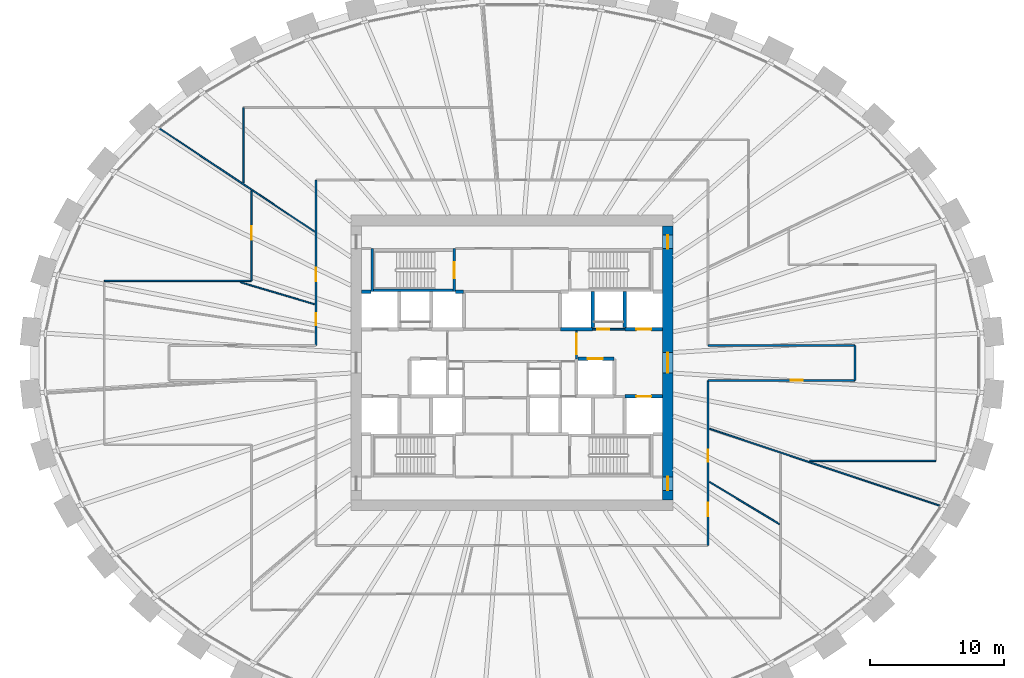
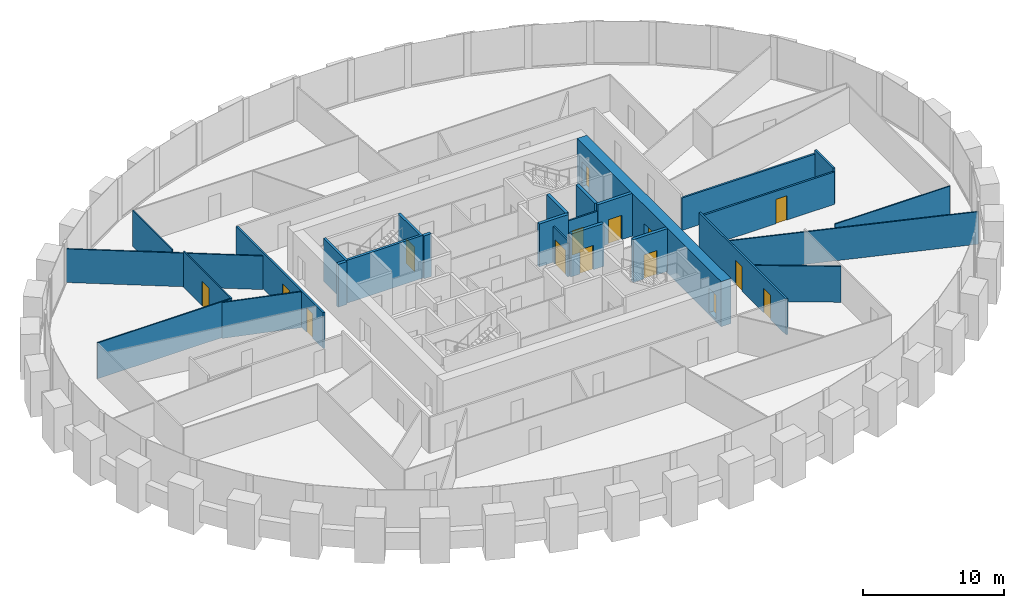
# One storey, part 8 of 11: 27 walls, 15 doors, 15 openings.
"""IFC4 building model written with IfcOpenShell, lengths in metres."""

from ifc_helpers import new_model, si_unit, direction, frame, frame_2d, origin, place, context, subcontext, project, spatial, rectangle, extrude, source, transform, mapped, material, layer, layer_set, type_object, element, fill, save


model = new_model("IFC4")

# Units and contexts
model_context = context("Model", 3, precision=1e-05, world=origin(), true_north=direction((0.0, 1.0)))
body_context = subcontext(model_context, "Body", "Model", "MODEL_VIEW")
ifc_project = project(units=[si_unit("LENGTHUNIT", "METRE"), si_unit("AREAUNIT", "SQUARE_METRE"), si_unit("VOLUMEUNIT", "CUBIC_METRE"), si_unit("PLANEANGLEUNIT", "RADIAN"), si_unit("MASSUNIT", "GRAM", prefix="KILO")], contexts=[model_context])

# Site, building, storey
site_placement = place(None, origin())
site = spatial("IfcSite", under=ifc_project, at=site_placement, CompositionType="ELEMENT")
building_placement = place(site_placement, origin())
building = spatial("IfcBuilding", under=site, at=building_placement, Name="Embergate Tower", CompositionType="ELEMENT")
storey_placement = place(building_placement, frame((0.0, 0.0, 199.5)))
storey = spatial("IfcBuildingStorey", under=building, at=storey_placement, Name="L45", CompositionType="ELEMENT", Elevation=199.5)

# Wall, openings, doors
ifc_material_1 = material(Name="Concrete C70", Category="concrete")
ifc_layer_1 = layer(ifc_material_1, 0.800048828125)
ifc_layer_set_1 = layer_set([ifc_layer_1], Name="Concrete C70")
wall_type_1 = type_object("IfcWallType", Name="Core outer wall C70 800", PredefinedType="SHEAR", material=ifc_layer_set_1)
shared_shape_1 = source(origin(), body_context, "Body", "SweptSolid", [
    extrude(rectangle(XDim=20.39990234375, YDim=0.800048828125, at=frame_2d((10.199951171875, 0.0))), origin(), (0.0, 0.0, 1.0), 3.89990234375),
])
wall_1_placement = place(storey_placement, frame((11.60009765625, -10.199951171875, -0.199951171875), z_axis=(0.0, 0.0, 1.0), x_axis=(0.0, 1.0, 0.0)))
wall_1 = element("IfcWall", 1, at=wall_1_placement, inside=storey, type_object=wall_type_1, Name="CW-L45-E", PredefinedType="SHEAR", context=body_context, shape_type="MappedRepresentation", body=[
    mapped(shared_shape_1, transform((0.0, 0.0, 0.0))),
])
shared_shape_2 = source(origin(), body_context, "Body", "SweptSolid", [
    extrude(rectangle(XDim=1.0, YDim=2.10009765625, at=frame_2d((0.5, 1.050048828125))), frame((0.0, 0.409912109375, 0.0), z_axis=(0.0, -1.0, 0.0), x_axis=(1.0, 0.0, 0.0)), (0.0, 0.0, 1.0), 0.820068359375),
])
opening_1_placement = place(wall_1_placement, frame((18.699951171875, 0.0, 0.199951171875)))
opening_1 = element("IfcOpeningElement", 2, at=opening_1_placement, cuts=wall_1, Name="Opening IF-1d", PredefinedType="OPENING", context=body_context, shape_type="MappedRepresentation", body=[
    mapped(shared_shape_2, transform((0.0, 0.0, 0.0))),
])
opening_2_placement = place(wall_1_placement, frame((0.699951171875, 0.0, 0.199951171875)))
opening_2 = element("IfcOpeningElement", 3, at=opening_2_placement, cuts=wall_1, Name="Opening IF-1d", PredefinedType="OPENING", context=body_context, shape_type="MappedRepresentation", body=[
    mapped(shared_shape_2, transform((0.0, 0.0, 0.0))),
])
shared_shape_3 = source(origin(), body_context, "Body", "SweptSolid", [
    extrude(rectangle(XDim=1.5, YDim=2.10009765625, at=frame_2d((0.75, 1.050048828125))), frame((0.0, 0.409912109375, 0.0), z_axis=(0.0, -1.0, 0.0), x_axis=(1.0, 0.0, 0.0)), (0.0, 0.0, 1.0), 0.820068359375),
])
opening_3_placement = place(wall_1_placement, frame((9.449951171875, 0.0, 0.199951171875)))
opening_3 = element("IfcOpeningElement", 4, at=opening_3_placement, cuts=wall_1, Name="Opening IF-3", PredefinedType="OPENING", context=body_context, shape_type="MappedRepresentation", body=[
    mapped(shared_shape_3, transform((0.0, 0.0, 0.0))),
])
ifc_material_2 = material(Name="Lobby fire door pair 1500")
door_type_1 = type_object("IfcDoorType", Name="Lobby fire door pair 1500", OperationType="DOUBLE_DOOR_SINGLE_SWING", PredefinedType="DOOR", material=ifc_material_2)
shared_shape_4 = source(origin(), body_context, "Body", "SweptSolid", [
    extrude(rectangle(XDim=1.5, YDim=2.10009765625, at=frame_2d((0.75, 1.050048828125))), frame((0.0, 0.02490234375, 0.0), z_axis=(0.0, -1.0, 0.0), x_axis=(1.0, 0.0, 0.0)), (0.0, 0.0, 1.0), 0.050048828125),
])
door_1_placement = place(opening_3_placement, origin())
door_1 = element("IfcDoor", 5, at=door_1_placement, inside=storey, type_object=door_type_1, Name="IF-3 door", OperationType="DOUBLE_DOOR_SINGLE_SWING", OverallHeight=2.10009765625, OverallWidth=1.5, PredefinedType="DOOR", context=body_context, shape_type="MappedRepresentation", body=[
    mapped(shared_shape_4, transform((0.0, 0.0, 0.0))),
])
fill(opening_3, door_1)
ifc_material_3 = material(Name="Escape fire door 1000")
door_type_2 = type_object("IfcDoorType", Name="Escape fire door 1000", OperationType="SINGLE_SWING_LEFT", PredefinedType="DOOR", material=ifc_material_3)
shared_shape_5 = source(origin(), body_context, "Body", "SweptSolid", [
    extrude(rectangle(XDim=1.0, YDim=2.10009765625, at=frame_2d((0.5, 1.050048828125))), frame((0.0, 0.02490234375, 0.0), z_axis=(0.0, -1.0, 0.0), x_axis=(1.0, 0.0, 0.0)), (0.0, 0.0, 1.0), 0.050048828125),
])
door_2_placement = place(opening_1_placement, origin())
door_2 = element("IfcDoor", 6, at=door_2_placement, inside=storey, type_object=door_type_2, Name="IF-1 door", OperationType="SINGLE_SWING_LEFT", OverallHeight=2.10009765625, OverallWidth=1.0, PredefinedType="DOOR", context=body_context, shape_type="MappedRepresentation", body=[
    mapped(shared_shape_5, transform((0.0, 0.0, 0.0))),
])
fill(opening_1, door_2)
door_3_placement = place(opening_2_placement, origin())
door_3 = element("IfcDoor", 7, at=door_3_placement, inside=storey, type_object=door_type_2, Name="IF-1 door", OperationType="SINGLE_SWING_RIGHT", OverallHeight=2.10009765625, OverallWidth=1.0, PredefinedType="DOOR", context=body_context, shape_type="MappedRepresentation", body=[
    mapped(shared_shape_5, transform((0.0, 0.0, 0.0))),
])
fill(opening_2, door_3)

# Walls
ifc_material_4 = material(Name="Concrete C50", Category="concrete")
ifc_layer_2 = layer(ifc_material_4, 0.25)
ifc_layer_set_2 = layer_set([ifc_layer_2], Name="Concrete C50")
wall_type_2 = type_object("IfcWallType", Name="Hoistway wall reinforced concrete 250", PredefinedType="SHEAR", material=ifc_layer_set_2)
shared_shape_6 = source(origin(), body_context, "Body", "SweptSolid", [
    extrude(rectangle(XDim=2.675048828125, YDim=0.25, at=frame_2d((1.33740234375, 0.0))), origin(), (0.0, 0.0, 1.0), 3.699951171875),
])
for number, where, z_axis, x_axis, name in (
    (8, (6.0, 2.625, 0.0), (0.0, 0.0, 1.0), (0.0, 1.0, 0.0), "HW-1 wall"),
    (9, (8.39990234375, 2.625, 0.0), (0.0, 0.0, 1.0), (0.0, 1.0, 0.0), "HW-1 wall"),
):
    element("IfcWall", number, at=place(storey_placement, frame(where, z_axis=z_axis, x_axis=x_axis)), inside=storey, type_object=wall_type_2, Name=name, PredefinedType="SHEAR", context=body_context, shape_type="MappedRepresentation", body=[
        mapped(shared_shape_6, transform((0.0, 0.0, 0.0))),
    ])

# Wall, opening, door
wall_2_placement = place(storey_placement, frame((7.60009765625, 0.300048828125, 0.0), z_axis=(0.0, 0.0, 1.0), x_axis=(-1.0, 0.0, 0.0)))
wall_2 = element("IfcWall", 10, at=wall_2_placement, inside=storey, type_object=wall_type_2, Name="HW-1 wall", PredefinedType="SHEAR", context=body_context, shape_type="MappedRepresentation", body=[
    mapped(shared_shape_6, transform((0.0, 0.0, 0.0))),
])
shared_shape_7 = source(origin(), body_context, "Body", "SweptSolid", [
    extrude(rectangle(XDim=1.10009765625, YDim=2.10009765625, at=frame_2d((0.550048828125, 1.050048828125))), frame((0.0, 0.135009765625, 0.0), z_axis=(0.0, -1.0, 0.0), x_axis=(1.0, 0.0, 0.0)), (0.0, 0.0, 1.0), 0.27001953125),
])
opening_4_placement = place(wall_2_placement, frame((0.85009765625, 0.0, 0.0)))
opening_4 = element("IfcOpeningElement", 11, at=opening_4_placement, cuts=wall_2, Name="Opening LD", PredefinedType="OPENING", context=body_context, shape_type="MappedRepresentation", body=[
    mapped(shared_shape_7, transform((0.0, 0.0, 0.0))),
])
ifc_material_5 = material(Name="Landing door sliding 1100")
door_type_3 = type_object("IfcDoorType", Name="Landing door sliding 1100", OperationType="SLIDING_TO_LEFT", PredefinedType="DOOR", material=ifc_material_5)
shared_shape_8 = source(origin(), body_context, "Body", "SweptSolid", [
    extrude(rectangle(XDim=1.10009765625, YDim=2.10009765625, at=frame_2d((0.550048828125, 1.050048828125))), frame((0.0, 0.02490234375, 0.0), z_axis=(0.0, -1.0, 0.0), x_axis=(1.0, 0.0, 0.0)), (0.0, 0.0, 1.0), 0.050048828125),
])
door_4_placement = place(opening_4_placement, origin())
door_4 = element("IfcDoor", 12, at=door_4_placement, inside=storey, type_object=door_type_3, Name="LD door", OperationType="SLIDING_TO_RIGHT", OverallHeight=2.10009765625, OverallWidth=1.10009765625, PredefinedType="DOOR", context=body_context, shape_type="MappedRepresentation", body=[
    mapped(shared_shape_8, transform((0.0, 0.0, 0.0))),
])
fill(opening_4, door_4)

# Wall
ifc_layer_3 = layer(ifc_material_4, 0.199951171875)
ifc_layer_set_3 = layer_set([ifc_layer_3], Name="Concrete C50")
wall_type_3 = type_object("IfcWallType", Name="Stair enclosure wall reinforced concrete 250", PredefinedType="SHEAR", material=ifc_layer_set_3)
shared_shape_9 = source(origin(), body_context, "Body", "SweptSolid", [
    extrude(rectangle(XDim=6.300048828125, YDim=0.199951171875, at=frame_2d((3.14990234375, 0.0))), origin(), (0.0, 0.0, 1.0), 3.699951171875),
])
wall_3_placement = place(storey_placement, frame((-4.199951171875, 5.39990234375, 0.0), z_axis=(0.0, 0.0, 1.0), x_axis=(-1.0, 0.0, 0.0)))
element("IfcWall", 13, at=wall_3_placement, inside=storey, type_object=wall_type_3, Name="SE-1 wall", PredefinedType="SHEAR", context=body_context, shape_type="MappedRepresentation", body=[
    mapped(shared_shape_9, transform((0.0, 0.0, 0.0))),
])

# Wall, opening, door
ifc_material_6 = material(Name="Core partition blockwork 120")
ifc_layer_4 = layer(ifc_material_6, 0.1201171875)
ifc_layer_set_4 = layer_set([ifc_layer_4], Name="Core partition blockwork 120")
wall_type_4 = type_object("IfcWallType", Name="Core partition blockwork 120", PredefinedType="PARTITIONING", material=ifc_layer_set_4)
shared_shape_10 = source(origin(), body_context, "Body", "SweptSolid", [
    extrude(rectangle(XDim=2.074951171875, YDim=0.1201171875, at=frame_2d((1.03759765625, 0.0))), origin(), (0.0, 0.0, 1.0), 3.10009765625),
])
wall_4_placement = place(storey_placement, frame((4.800048828125, 0.300048828125, 0.0), z_axis=(0.0, 0.0, 1.0), x_axis=(0.0, 1.0, 0.0)))
wall_4 = element("IfcWall", 14, at=wall_4_placement, inside=storey, type_object=wall_type_4, Name="IP-3 wall", PredefinedType="PARTITIONING", context=body_context, shape_type="MappedRepresentation", body=[
    mapped(shared_shape_10, transform((0.0, 0.0, 0.0))),
])
shared_shape_11 = source(origin(), body_context, "Body", "SweptSolid", [
    extrude(rectangle(XDim=1.5, YDim=2.10009765625, at=frame_2d((0.75, 1.050048828125))), frame((0.0, 0.070068359375, 0.0), z_axis=(0.0, -1.0, 0.0), x_axis=(1.0, 0.0, 0.0)), (0.0, 0.0, 1.0), 0.14013671875),
])
opening_5_placement = place(wall_4_placement, frame((0.35009765625, 0.0, 0.0)))
opening_5 = element("IfcOpeningElement", 15, at=opening_5_placement, cuts=wall_4, Name="Opening IF-3", PredefinedType="OPENING", context=body_context, shape_type="MappedRepresentation", body=[
    mapped(shared_shape_11, transform((0.0, 0.0, 0.0))),
])
door_5_placement = place(opening_5_placement, origin())
door_5 = element("IfcDoor", 16, at=door_5_placement, inside=storey, type_object=door_type_1, Name="IF-3 door", OperationType="DOUBLE_DOOR_SINGLE_SWING", OverallHeight=2.10009765625, OverallWidth=1.5, PredefinedType="DOOR", context=body_context, shape_type="MappedRepresentation", body=[
    mapped(shared_shape_4, transform((0.0, 0.0, 0.0))),
])
fill(opening_5, door_5)

shared_shape_12 = source(origin(), body_context, "Body", "SweptSolid", [
    extrude(rectangle(XDim=3.199951171875, YDim=0.199951171875, at=frame_2d((1.60009765625, 0.0))), origin(), (0.0, 0.0, 1.0), 3.699951171875),
])
wall_5_placement = place(storey_placement, frame((-4.300048828125, 5.300048828125, 0.0), z_axis=(0.0, 0.0, 1.0), x_axis=(0.0, 1.0, 0.0)))
wall_5 = element("IfcWall", 17, at=wall_5_placement, inside=storey, type_object=wall_type_3, Name="SE-1 wall", PredefinedType="SHEAR", context=body_context, shape_type="MappedRepresentation", body=[
    mapped(shared_shape_12, transform((0.0, 0.0, 0.0))),
])
shared_shape_13 = source(origin(), body_context, "Body", "SweptSolid", [
    extrude(rectangle(XDim=1.199951171875, YDim=2.10009765625, at=frame_2d((0.60009765625, 1.050048828125))), frame((0.0, 0.10986328125, 0.0), z_axis=(0.0, -1.0, 0.0), x_axis=(1.0, 0.0, 0.0)), (0.0, 0.0, 1.0), 0.219970703125),
])
opening_6_placement = place(wall_5_placement, frame((1.0, 0.0, 0.0)))
opening_6 = element("IfcOpeningElement", 18, at=opening_6_placement, cuts=wall_5, Name="Opening IF-2", PredefinedType="OPENING", context=body_context, shape_type="MappedRepresentation", body=[
    mapped(shared_shape_13, transform((0.0, 0.0, 0.0))),
])
ifc_material_7 = material(Name="Stair enclosure door 1200")
door_type_4 = type_object("IfcDoorType", Name="Stair enclosure door 1200", OperationType="SINGLE_SWING_LEFT", PredefinedType="DOOR", material=ifc_material_7)
shared_shape_14 = source(origin(), body_context, "Body", "SweptSolid", [
    extrude(rectangle(XDim=1.199951171875, YDim=2.10009765625, at=frame_2d((0.60009765625, 1.050048828125))), frame((0.0, 0.02490234375, 0.0), z_axis=(0.0, -1.0, 0.0), x_axis=(1.0, 0.0, 0.0)), (0.0, 0.0, 1.0), 0.050048828125),
])
door_6_placement = place(opening_6_placement, origin())
door_6 = element("IfcDoor", 19, at=door_6_placement, inside=storey, type_object=door_type_4, Name="IF-2 door", OperationType="SINGLE_SWING_LEFT", OverallHeight=2.10009765625, OverallWidth=1.199951171875, PredefinedType="DOOR", context=body_context, shape_type="MappedRepresentation", body=[
    mapped(shared_shape_14, transform((0.0, 0.0, 0.0))),
])
fill(opening_6, door_6)

# Walls
shared_shape_15 = source(origin(), body_context, "Body", "SweptSolid", [
    extrude(rectangle(XDim=2.39990234375, YDim=0.25, at=frame_2d((1.199951171875, 0.0))), origin(), (0.0, 0.0, 1.0), 3.699951171875),
])
wall_6_placement = place(storey_placement, frame((3.60009765625, 2.5, 0.0), z_axis=(0.0, 0.0, 1.0), x_axis=(1.0, 0.0, 0.0)))
element("IfcWall", 20, at=wall_6_placement, inside=storey, type_object=wall_type_2, Name="HW-1 wall", PredefinedType="SHEAR", context=body_context, shape_type="MappedRepresentation", body=[
    mapped(shared_shape_15, transform((0.0, 0.0, 0.0))),
])
ifc_material_8 = material(Name="Corridor wall dry-lined 150")
ifc_layer_5 = layer(ifc_material_8, 0.14990234375)
ifc_layer_set_5 = layer_set([ifc_layer_5], Name="Corridor wall dry-lined 150")
wall_type_5 = type_object("IfcWallType", Name="Corridor wall dry-lined 150", PredefinedType="PARTITIONING", material=ifc_layer_set_5)
shared_shape_16 = source(origin(), body_context, "Body", "SweptSolid", [
    extrude(rectangle(XDim=10.949951171875, YDim=0.14990234375, at=frame_2d((5.47509765625, 0.0))), origin(), (0.0, 0.0, 1.0), 2.800048828125),
])
wall_7_placement = place(storey_placement, frame((14.60009765625, 1.300048828125, 0.0), z_axis=(0.0, 0.0, 1.0), x_axis=(1.0, 0.0, 0.0)))
element("IfcWall", 21, at=wall_7_placement, inside=storey, type_object=wall_type_5, Name="IP-2 wall", PredefinedType="PARTITIONING", context=body_context, shape_type="MappedRepresentation", body=[
    mapped(shared_shape_16, transform((0.0, 0.0, 0.0))),
])

# Wall, opening, door
wall_8_placement = place(storey_placement, frame((25.550048828125, -1.300048828125, 0.0), z_axis=(0.0, 0.0, 1.0), x_axis=(-1.0, 0.0, 0.0)))
wall_8 = element("IfcWall", 22, at=wall_8_placement, inside=storey, type_object=wall_type_5, Name="IP-2 wall", PredefinedType="PARTITIONING", context=body_context, shape_type="MappedRepresentation", body=[
    mapped(shared_shape_16, transform((0.0, 0.0, 0.0))),
])
shared_shape_17 = source(origin(), body_context, "Body", "SweptSolid", [
    extrude(rectangle(XDim=0.89990234375, YDim=2.10009765625, at=frame_2d((0.449951171875, 1.050048828125))), frame((0.0, 0.0849609375, 0.0), z_axis=(0.0, -1.0, 0.0), x_axis=(1.0, 0.0, 0.0)), (0.0, 0.0, 1.0), 0.169921875),
])
opening_7_placement = place(wall_8_placement, frame((3.89111328125, 0.0, 0.0)))
opening_7 = element("IfcOpeningElement", 23, at=opening_7_placement, cuts=wall_8, Name="Opening IF-1c", PredefinedType="OPENING", context=body_context, shape_type="MappedRepresentation", body=[
    mapped(shared_shape_17, transform((0.0, 0.0, 0.0))),
])
ifc_material_9 = material(Name="Escape fire door 900")
door_type_5 = type_object("IfcDoorType", Name="Escape fire door 900", OperationType="SINGLE_SWING_LEFT", PredefinedType="DOOR", material=ifc_material_9)
shared_shape_18 = source(origin(), body_context, "Body", "SweptSolid", [
    extrude(rectangle(XDim=0.89990234375, YDim=2.10009765625, at=frame_2d((0.449951171875, 1.050048828125))), frame((0.0, 0.02490234375, 0.0), z_axis=(0.0, -1.0, 0.0), x_axis=(1.0, 0.0, 0.0)), (0.0, 0.0, 1.0), 0.050048828125),
])
door_7_placement = place(opening_7_placement, origin())
door_7 = element("IfcDoor", 24, at=door_7_placement, inside=storey, type_object=door_type_5, Name="IF-1 door", OperationType="SINGLE_SWING_RIGHT", OverallHeight=2.10009765625, OverallWidth=0.89990234375, PredefinedType="DOOR", context=body_context, shape_type="MappedRepresentation", body=[
    mapped(shared_shape_18, transform((0.0, 0.0, 0.0))),
])
fill(opening_7, door_7)

shared_shape_19 = source(origin(), body_context, "Body", "SweptSolid", [
    extrude(rectangle(XDim=2.800048828125, YDim=0.25, at=frame_2d((1.39990234375, 0.0))), origin(), (0.0, 0.0, 1.0), 3.699951171875),
])
wall_9_placement = place(storey_placement, frame((8.39990234375, 2.5, 0.0), z_axis=(0.0, 0.0, 1.0), x_axis=(1.0, 0.0, 0.0)))
wall_9 = element("IfcWall", 25, at=wall_9_placement, inside=storey, type_object=wall_type_2, Name="HW-1 wall", PredefinedType="SHEAR", context=body_context, shape_type="MappedRepresentation", body=[
    mapped(shared_shape_19, transform((0.0, 0.0, 0.0))),
])
opening_8_placement = place(wall_9_placement, frame((0.85009765625, 0.0, 0.0)))
opening_8 = element("IfcOpeningElement", 26, at=opening_8_placement, cuts=wall_9, Name="Opening LD", PredefinedType="OPENING", context=body_context, shape_type="MappedRepresentation", body=[
    mapped(shared_shape_7, transform((0.0, 0.0, 0.0))),
])
door_8_placement = place(opening_8_placement, origin())
door_8 = element("IfcDoor", 27, at=door_8_placement, inside=storey, type_object=door_type_3, Name="LD door", OperationType="SLIDING_TO_LEFT", OverallHeight=2.10009765625, OverallWidth=1.10009765625, PredefinedType="DOOR", context=body_context, shape_type="MappedRepresentation", body=[
    mapped(shared_shape_8, transform((0.0, 0.0, 0.0))),
])
fill(opening_8, door_8)

wall_10_placement = place(storey_placement, frame((11.199951171875, -2.5, 0.0), z_axis=(0.0, 0.0, 1.0), x_axis=(-1.0, 0.0, 0.0)))
wall_10 = element("IfcWall", 28, at=wall_10_placement, inside=storey, type_object=wall_type_2, Name="HW-1 wall", PredefinedType="SHEAR", context=body_context, shape_type="MappedRepresentation", body=[
    mapped(shared_shape_19, transform((0.0, 0.0, 0.0))),
])
opening_9_placement = place(wall_10_placement, frame((0.85009765625, 0.0, 0.0)))
opening_9 = element("IfcOpeningElement", 29, at=opening_9_placement, cuts=wall_10, Name="Opening LD", PredefinedType="OPENING", context=body_context, shape_type="MappedRepresentation", body=[
    mapped(shared_shape_7, transform((0.0, 0.0, 0.0))),
])
door_9_placement = place(opening_9_placement, origin())
door_9 = element("IfcDoor", 30, at=door_9_placement, inside=storey, type_object=door_type_3, Name="LD door", OperationType="SLIDING_TO_RIGHT", OverallHeight=2.10009765625, OverallWidth=1.10009765625, PredefinedType="DOOR", context=body_context, shape_type="MappedRepresentation", body=[
    mapped(shared_shape_8, transform((0.0, 0.0, 0.0))),
])
fill(opening_9, door_9)

shared_shape_20 = source(origin(), body_context, "Body", "SweptSolid", [
    extrude(rectangle(XDim=2.39990234375, YDim=0.1201171875, at=frame_2d((1.199951171875, 0.0))), origin(), (0.0, 0.0, 1.0), 3.10009765625),
])
wall_11_placement = place(storey_placement, frame((6.0, 2.5, 0.0), z_axis=(0.0, 0.0, 1.0), x_axis=(1.0, 0.0, 0.0)))
wall_11 = element("IfcWall", 31, at=wall_11_placement, inside=storey, type_object=wall_type_4, Name="IP-3 wall", PredefinedType="PARTITIONING", context=body_context, shape_type="MappedRepresentation", body=[
    mapped(shared_shape_20, transform((0.0, 0.0, 0.0))),
])
shared_shape_21 = source(origin(), body_context, "Body", "SweptSolid", [
    extrude(rectangle(XDim=0.89990234375, YDim=2.10009765625, at=frame_2d((0.449951171875, 1.050048828125))), frame((0.0, 0.070068359375, 0.0), z_axis=(0.0, -1.0, 0.0), x_axis=(1.0, 0.0, 0.0)), (0.0, 0.0, 1.0), 0.14013671875),
])
opening_10_placement = place(wall_11_placement, frame((0.35009765625, 0.0, 0.0)))
opening_10 = element("IfcOpeningElement", 32, at=opening_10_placement, cuts=wall_11, Name="Opening ID-1", PredefinedType="OPENING", context=body_context, shape_type="MappedRepresentation", body=[
    mapped(shared_shape_21, transform((0.0, 0.0, 0.0))),
])
ifc_material_10 = material(Name="Interior door 900")
door_type_6 = type_object("IfcDoorType", Name="Interior door 900", OperationType="SINGLE_SWING_LEFT", PredefinedType="DOOR", material=ifc_material_10)
door_10_placement = place(opening_10_placement, origin())
door_10 = element("IfcDoor", 33, at=door_10_placement, inside=storey, type_object=door_type_6, Name="ID-1 door", OperationType="SINGLE_SWING_RIGHT", OverallHeight=2.10009765625, OverallWidth=0.89990234375, PredefinedType="DOOR", context=body_context, shape_type="MappedRepresentation", body=[
    mapped(shared_shape_18, transform((0.0, 0.0, 0.0))),
])
fill(opening_10, door_10)

# Walls
shared_shape_22 = source(origin(), body_context, "Body", "SweptSolid", [
    extrude(rectangle(XDim=0.599853515625, YDim=0.25, at=frame_2d((0.2998046875, 0.0))), origin(), (0.0, 0.0, 1.0), 3.699951171875),
])
wall_12_placement = place(storey_placement, frame((-3.60009765625, 5.300048828125, 0.0), z_axis=(0.0, 0.0, 1.0), x_axis=(-1.0, 0.0, 0.0)))
element("IfcWall", 34, at=wall_12_placement, inside=storey, type_object=wall_type_2, Name="HW-1 wall", PredefinedType="SHEAR", context=body_context, shape_type="MappedRepresentation", body=[
    mapped(shared_shape_22, transform((0.0, 0.0, 0.0))),
])
shared_shape_23 = source(origin(), body_context, "Body", "SweptSolid", [
    extrude(rectangle(XDim=3.196044921875, YDim=0.199951171875, at=frame_2d((1.59814453125, 0.0))), origin(), (0.0, 0.0, 1.0), 3.699951171875),
])
wall_13_placement = place(storey_placement, frame((-10.39990234375, 8.498046875, 0.0), z_axis=(0.0, 0.0, 1.0), x_axis=(0.0, -1.0, 0.0)))
element("IfcWall", 35, at=wall_13_placement, inside=storey, type_object=wall_type_3, Name="SE-1 wall", PredefinedType="SHEAR", context=body_context, shape_type="MappedRepresentation", body=[
    mapped(shared_shape_23, transform((0.0, 0.0, 0.0))),
])
shared_shape_24 = source(origin(), body_context, "Body", "SweptSolid", [
    extrude(rectangle(XDim=0.697998046875, YDim=0.25, at=frame_2d((0.34912109375, 0.0))), origin(), (0.0, 0.0, 1.0), 3.699951171875),
])
wall_14_placement = place(storey_placement, frame((-10.501953125, 5.300048828125, 0.0), z_axis=(0.0, 0.0, 1.0), x_axis=(-1.0, 0.0, 0.0)))
element("IfcWall", 36, at=wall_14_placement, inside=storey, type_object=wall_type_2, Name="HW-1 wall", PredefinedType="SHEAR", context=body_context, shape_type="MappedRepresentation", body=[
    mapped(shared_shape_24, transform((0.0, 0.0, 0.0))),
])
ifc_material_11 = material(Name="Partition dry-lined 100")
ifc_layer_6 = layer(ifc_material_11, 0.10009765625)
ifc_layer_set_6 = layer_set([ifc_layer_6], Name="Partition dry-lined 100")
wall_type_6 = type_object("IfcWallType", Name="Partition dry-lined 100", PredefinedType="PARTITIONING", material=ifc_layer_set_6)
shared_shape_25 = source(origin(), body_context, "Body", "SweptSolid", [
    extrude(rectangle(XDim=10.9501953125, YDim=0.10009765625, at=frame_2d((5.47509765625, 0.0))), origin(), (0.0, 0.0, 1.0), 3.10009765625),
])
wall_15_placement = place(storey_placement, frame((-30.35009765625, 6.10009765625, 0.0), z_axis=(0.0, 0.0, 1.0), x_axis=(1.0, 0.0, 0.0)))
element("IfcWall", 37, at=wall_15_placement, inside=storey, type_object=wall_type_6, Name="IP-1 wall", PredefinedType="PARTITIONING", context=body_context, shape_type="MappedRepresentation", body=[
    mapped(shared_shape_25, transform((0.0, 0.0, 0.0))),
])

# Wall, openings, doors
shared_shape_26 = source(origin(), body_context, "Body", "SweptSolid", [
    extrude(rectangle(XDim=12.300048828125, YDim=0.14990234375, at=frame_2d((6.14990234375, 0.0))), origin(), (0.0, 0.0, 1.0), 3.10009765625),
])
wall_16_placement = place(storey_placement, frame((14.60009765625, -1.300048828125, 0.0), z_axis=(0.0, 0.0, 1.0), x_axis=(0.0, -1.0, 0.0)))
wall_16 = element("IfcWall", 38, at=wall_16_placement, inside=storey, type_object=wall_type_5, Name="IP-2 wall", PredefinedType="PARTITIONING", context=body_context, shape_type="MappedRepresentation", body=[
    mapped(shared_shape_26, transform((0.0, 0.0, 0.0))),
])
shared_shape_27 = source(origin(), body_context, "Body", "SweptSolid", [
    extrude(rectangle(XDim=1.0, YDim=2.10009765625, at=frame_2d((0.5, 1.050048828125))), frame((0.0, 0.0849609375, 0.0), z_axis=(0.0, -1.0, 0.0), x_axis=(1.0, 0.0, 0.0)), (0.0, 0.0, 1.0), 0.169921875),
])
opening_11_placement = place(wall_16_placement, frame((9.116943359375, 0.0, 0.0)))
opening_11 = element("IfcOpeningElement", 39, at=opening_11_placement, cuts=wall_16, Name="Opening ID-2", PredefinedType="OPENING", context=body_context, shape_type="MappedRepresentation", body=[
    mapped(shared_shape_27, transform((0.0, 0.0, 0.0))),
])
opening_12_placement = place(wall_16_placement, frame((5.1650390625, 0.0, 0.0)))
opening_12 = element("IfcOpeningElement", 40, at=opening_12_placement, cuts=wall_16, Name="Opening IF-1c", PredefinedType="OPENING", context=body_context, shape_type="MappedRepresentation", body=[
    mapped(shared_shape_17, transform((0.0, 0.0, 0.0))),
])
door_11_placement = place(opening_12_placement, origin())
door_11 = element("IfcDoor", 41, at=door_11_placement, inside=storey, type_object=door_type_5, Name="IF-1 door", OperationType="SINGLE_SWING_RIGHT", OverallHeight=2.10009765625, OverallWidth=0.89990234375, PredefinedType="DOOR", context=body_context, shape_type="MappedRepresentation", body=[
    mapped(shared_shape_18, transform((0.0, 0.0, 0.0))),
])
fill(opening_12, door_11)
ifc_material_12 = material(Name="Interior door 1000")
door_type_7 = type_object("IfcDoorType", Name="Interior door 1000", OperationType="SINGLE_SWING_LEFT", PredefinedType="DOOR", material=ifc_material_12)
door_12_placement = place(opening_11_placement, origin())
door_12 = element("IfcDoor", 42, at=door_12_placement, inside=storey, type_object=door_type_7, Name="ID-2 door", OperationType="SINGLE_SWING_RIGHT", OverallHeight=2.10009765625, OverallWidth=1.0, PredefinedType="DOOR", context=body_context, shape_type="MappedRepresentation", body=[
    mapped(shared_shape_5, transform((0.0, 0.0, 0.0))),
])
fill(opening_11, door_12)

wall_17_placement = place(storey_placement, frame((-14.60009765625, 1.300048828125, 0.0), z_axis=(0.0, 0.0, 1.0), x_axis=(0.0, 1.0, 0.0)))
wall_17 = element("IfcWall", 43, at=wall_17_placement, inside=storey, type_object=wall_type_5, Name="IP-2 wall", PredefinedType="PARTITIONING", context=body_context, shape_type="MappedRepresentation", body=[
    mapped(shared_shape_26, transform((0.0, 0.0, 0.0))),
])
opening_13_placement = place(wall_17_placement, frame((4.76611328125, 0.0, 0.0)))
opening_13 = element("IfcOpeningElement", 44, at=opening_13_placement, cuts=wall_17, Name="Opening ID-2", PredefinedType="OPENING", context=body_context, shape_type="MappedRepresentation", body=[
    mapped(shared_shape_27, transform((0.0, 0.0, 0.0))),
])
opening_14_placement = place(wall_17_placement, frame((1.47998046875, 0.0, 0.0)))
opening_14 = element("IfcOpeningElement", 45, at=opening_14_placement, cuts=wall_17, Name="Opening IF-1c", PredefinedType="OPENING", context=body_context, shape_type="MappedRepresentation", body=[
    mapped(shared_shape_17, transform((0.0, 0.0, 0.0))),
])
door_13_placement = place(opening_14_placement, origin())
door_13 = element("IfcDoor", 46, at=door_13_placement, inside=storey, type_object=door_type_5, Name="IF-1 door", OperationType="SINGLE_SWING_RIGHT", OverallHeight=2.10009765625, OverallWidth=0.89990234375, PredefinedType="DOOR", context=body_context, shape_type="MappedRepresentation", body=[
    mapped(shared_shape_18, transform((0.0, 0.0, 0.0))),
])
fill(opening_14, door_13)
door_14_placement = place(opening_13_placement, origin())
door_14 = element("IfcDoor", 47, at=door_14_placement, inside=storey, type_object=door_type_7, Name="ID-2 door", OperationType="SINGLE_SWING_LEFT", OverallHeight=2.10009765625, OverallWidth=1.0, PredefinedType="DOOR", context=body_context, shape_type="MappedRepresentation", body=[
    mapped(shared_shape_5, transform((0.0, 0.0, 0.0))),
])
fill(opening_13, door_14)

# Walls
shared_shape_28 = source(origin(), body_context, "Body", "SweptSolid", [
    extrude(rectangle(XDim=2.60009765625, YDim=0.14990234375, at=frame_2d((1.300048828125, 0.0))), origin(), (0.0, 0.0, 1.0), 3.10009765625),
])
wall_18_placement = place(storey_placement, frame((25.550048828125, 1.300048828125, 0.0), z_axis=(0.0, 0.0, 1.0), x_axis=(0.0, -1.0, 0.0)))
element("IfcWall", 48, at=wall_18_placement, inside=storey, type_object=wall_type_5, Name="IP-2 wall", PredefinedType="PARTITIONING", context=body_context, shape_type="MappedRepresentation", body=[
    mapped(shared_shape_28, transform((0.0, 0.0, 0.0))),
])
shared_shape_29 = source(origin(), body_context, "Body", "SweptSolid", [
    extrude(rectangle(XDim=6.10009765625, YDim=0.10009765625, at=frame_2d((3.050048828125, 0.0))), origin(), (0.0, 0.0, 1.0), 3.10009765625),
])
wall_19_placement = place(storey_placement, frame((14.700927734375, -8.868896484375, 0.0), z_axis=(0.0, 0.0, 1.0), x_axis=(0.856243821977, -0.516571889794, 0.0)))
element("IfcWall", 49, at=wall_19_placement, inside=storey, type_object=wall_type_6, Name="IP-1 wall", PredefinedType="PARTITIONING", context=body_context, shape_type="MappedRepresentation", body=[
    mapped(shared_shape_29, transform((0.0, 0.0, 0.0))),
])
shared_shape_30 = source(origin(), body_context, "Body", "SweptSolid", [
    extrude(rectangle(XDim=18.179443359375, YDim=0.10009765625, at=frame_2d((9.08984375, 0.0))), origin(), (0.0, 0.0, 1.0), 2.800048828125),
])
wall_20_placement = place(storey_placement, frame((31.93408203125, -10.666015625, 0.0), z_axis=(0.0, 0.0, 1.0), x_axis=(-0.948496463159, 0.316787719735, 0.0)))
element("IfcWall", 50, at=wall_20_placement, inside=storey, type_object=wall_type_6, Name="IP-1 wall", PredefinedType="PARTITIONING", context=body_context, shape_type="MappedRepresentation", body=[
    mapped(shared_shape_30, transform((0.0, 0.0, 0.0))),
])
shared_shape_31 = source(origin(), body_context, "Body", "SweptSolid", [
    extrude(rectangle(XDim=9.386962890625, YDim=0.10009765625, at=frame_2d((4.693359375, 0.0))), origin(), (0.0, 0.0, 1.0), 3.10009765625),
])
wall_21_placement = place(storey_placement, frame((31.550048828125, -7.300048828125, 0.0), z_axis=(0.0, 0.0, 1.0), x_axis=(-1.0, 0.0, 0.0)))
element("IfcWall", 51, at=wall_21_placement, inside=storey, type_object=wall_type_6, Name="IP-1 wall", PredefinedType="PARTITIONING", context=body_context, shape_type="MappedRepresentation", body=[
    mapped(shared_shape_31, transform((0.0, 0.0, 0.0))),
])
shared_shape_32 = source(origin(), body_context, "Body", "SweptSolid", [
    extrude(rectangle(XDim=13.9443359375, YDim=0.10009765625, at=frame_2d((6.97216796875, 0.0))), origin(), (0.0, 0.0, 1.0), 2.89990234375),
])
wall_22_placement = place(storey_placement, frame((-14.702880859375, 9.77490234375, 0.0), z_axis=(0.0, 0.0, 1.0), x_axis=(-0.832749965449, 0.553649252726, 0.0)))
element("IfcWall", 52, at=wall_22_placement, inside=storey, type_object=wall_type_6, Name="IP-1 wall", PredefinedType="PARTITIONING", context=body_context, shape_type="MappedRepresentation", body=[
    mapped(shared_shape_32, transform((0.0, 0.0, 0.0))),
])
shared_shape_33 = source(origin(), body_context, "Body", "SweptSolid", [
    extrude(rectangle(XDim=5.610107421875, YDim=0.10009765625, at=frame_2d((2.80517578125, 0.0))), origin(), (0.0, 0.0, 1.0), 3.10009765625),
])
wall_23_placement = place(storey_placement, frame((-20.0, 13.389892578125, 0.0), z_axis=(0.0, 0.0, 1.0), x_axis=(0.0, 1.0, 0.0)))
element("IfcWall", 53, at=wall_23_placement, inside=storey, type_object=wall_type_6, Name="IP-1 wall", PredefinedType="PARTITIONING", context=body_context, shape_type="MappedRepresentation", body=[
    mapped(shared_shape_33, transform((0.0, 0.0, 0.0))),
])
shared_shape_34 = source(origin(), body_context, "Body", "SweptSolid", [
    extrude(rectangle(XDim=5.77978515625, YDim=0.10009765625, at=frame_2d((2.889892578125, 0.0))), origin(), (0.0, 0.0, 1.0), 3.10009765625),
])
wall_24_placement = place(storey_placement, frame((-14.68896484375, 4.35791015625, 0.0), z_axis=(0.0, 0.0, 1.0), x_axis=(-0.95869151175, 0.284447860421, 0.0)))
element("IfcWall", 54, at=wall_24_placement, inside=storey, type_object=wall_type_6, Name="IP-1 wall", PredefinedType="PARTITIONING", context=body_context, shape_type="MappedRepresentation", body=[
    mapped(shared_shape_34, transform((0.0, 0.0, 0.0))),
])

# Wall, opening, door
shared_shape_35 = source(origin(), body_context, "Body", "SweptSolid", [
    extrude(rectangle(XDim=6.703857421875, YDim=0.10009765625, at=frame_2d((3.35205078125, 0.0))), origin(), (0.0, 0.0, 1.0), 3.10009765625),
])
wall_25_placement = place(storey_placement, frame((-19.39990234375, 6.10009765625, 0.0), z_axis=(0.0, 0.0, 1.0), x_axis=(0.0, 1.0, 0.0)))
wall_25 = element("IfcWall", 55, at=wall_25_placement, inside=storey, type_object=wall_type_6, Name="IP-1 wall", PredefinedType="PARTITIONING", context=body_context, shape_type="MappedRepresentation", body=[
    mapped(shared_shape_35, transform((0.0, 0.0, 0.0))),
])
shared_shape_36 = source(origin(), body_context, "Body", "SweptSolid", [
    extrude(rectangle(XDim=1.0, YDim=2.10009765625, at=frame_2d((0.5, 1.050048828125))), frame((0.0, 0.06005859375, 0.0), z_axis=(0.0, -1.0, 0.0), x_axis=(1.0, 0.0, 0.0)), (0.0, 0.0, 1.0), 0.1201171875),
])
opening_15_placement = place(wall_25_placement, frame((3.054931640625, 0.0, 0.0)))
opening_15 = element("IfcOpeningElement", 56, at=opening_15_placement, cuts=wall_25, Name="Opening ID-2", PredefinedType="OPENING", context=body_context, shape_type="MappedRepresentation", body=[
    mapped(shared_shape_36, transform((0.0, 0.0, 0.0))),
])
door_15_placement = place(opening_15_placement, origin())
door_15 = element("IfcDoor", 57, at=door_15_placement, inside=storey, type_object=door_type_7, Name="ID-2 door", OperationType="SINGLE_SWING_RIGHT", OverallHeight=2.10009765625, OverallWidth=1.0, PredefinedType="DOOR", context=body_context, shape_type="MappedRepresentation", body=[
    mapped(shared_shape_5, transform((0.0, 0.0, 0.0))),
])
fill(opening_15, door_15)

save(model, "model.ifc")
